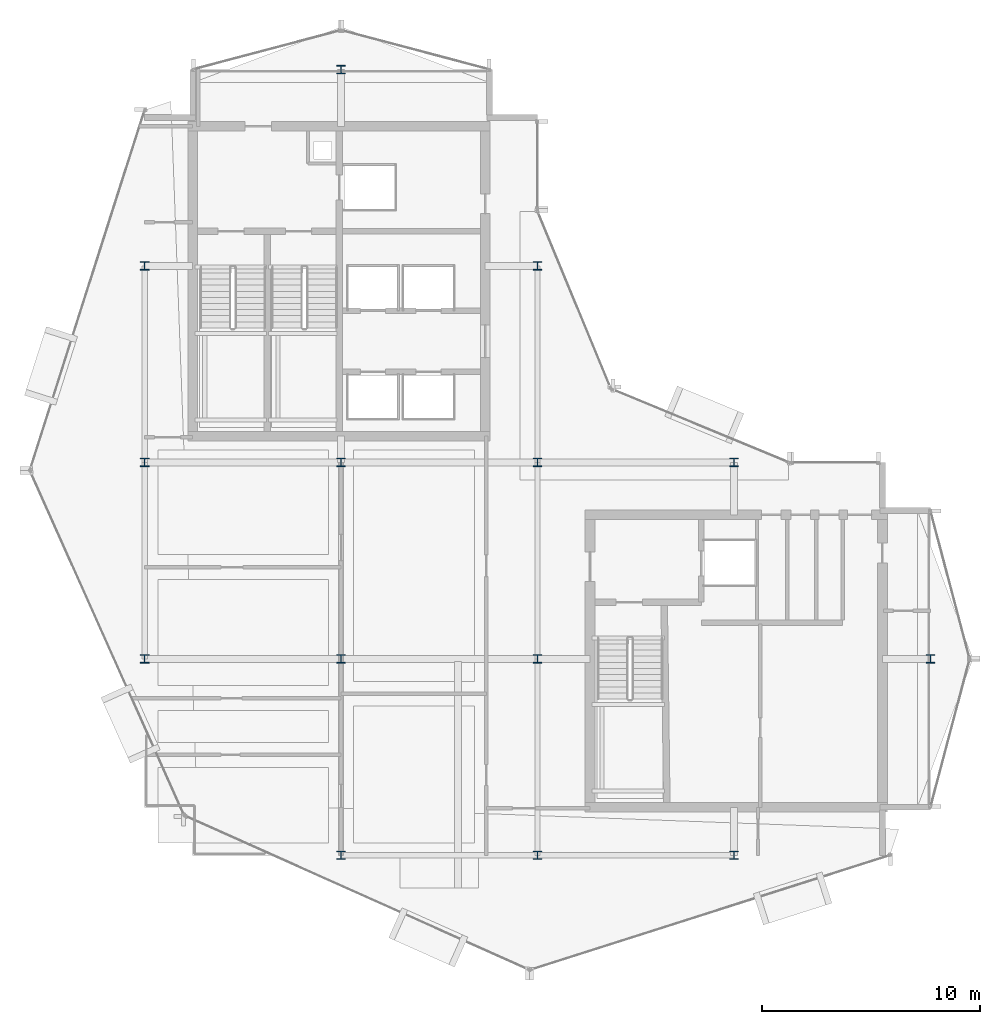
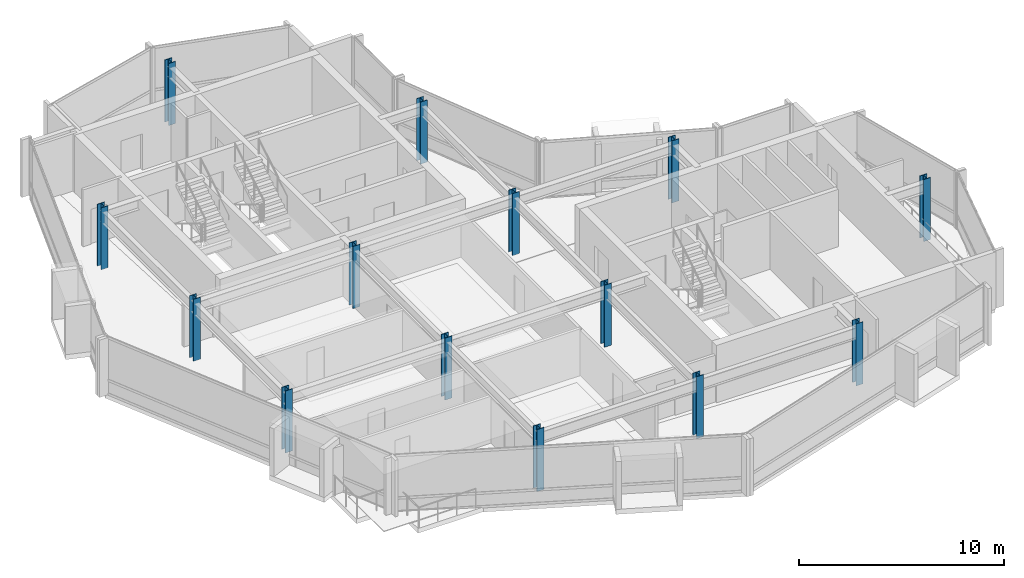
# One storey, part 1 of 19: 14 columns.
"""IFC4 building model written with IfcOpenShell, lengths in metres."""

from ifc_helpers import new_model, si_unit, direction, frame, origin, origin_2d, place, context, subcontext, project, spatial, i_section, extrude, material, material_profile, profile_set, type_object, element, save


model = new_model("IFC4")

# Units and contexts
model_context = context("Model", 3, precision=1e-05, world=origin(), true_north=direction((0.0, 1.0)))
body_context = subcontext(model_context, "Body", "Model", "MODEL_VIEW")
ifc_project = project(units=[si_unit("LENGTHUNIT", "METRE"), si_unit("AREAUNIT", "SQUARE_METRE"), si_unit("VOLUMEUNIT", "CUBIC_METRE"), si_unit("PLANEANGLEUNIT", "RADIAN"), si_unit("MASSUNIT", "GRAM", prefix="KILO")], contexts=[model_context])

# Site, building, storey
site_placement = place(None, origin())
site = spatial("IfcSite", under=ifc_project, at=site_placement, CompositionType="ELEMENT")
building_placement = place(site_placement, origin())
building = spatial("IfcBuilding", under=site, at=building_placement, Name="Solvaryn Broadcast Tower", CompositionType="ELEMENT")
storey_placement = place(building_placement, frame((0.0, 0.0, 240.800048828125)))
storey = spatial("IfcBuildingStorey", under=building, at=storey_placement, Name="L60", CompositionType="ELEMENT", Elevation=240.800048828125)

# Columns
ifc_material_1 = material(Name="Steel ASTM A913 Grade 65", Category="steel")
ifc_material_profile_1 = material_profile(ifc_material_1, i_section(OverallWidth=0.39697265625, OverallDepth=0.386962890625, WebThickness=0.02099609375, FlangeThickness=0.033203125, FilletRadius=0.014892578125, at=origin_2d()))
ifc_profile_set_1 = profile_set([ifc_material_profile_1], Name="Steel ASTM A913 Grade 65")
column_type_1 = type_object("IfcColumnType", Name="COL-C09E-W14X176", PredefinedType="COLUMN", material=ifc_profile_set_1)
for number, where, z_axis, x_axis, name in (
    (1, (9.0, 18.0, 0.0), (0.0, 0.0, 1.0), (1.0, 0.0, 0.0), "L60 Column (9.0, 18.0)"),
    (2, (9.0, 27.0, 0.0), (0.0, 0.0, 1.0), (1.0, 0.0, 0.0), "L60 Column (9.0, 27.0)"),
    (3, (9.0, 36.0, 0.0), (0.0, 0.0, 1.0), (1.0, 0.0, 0.0), "L60 Column (9.0, 36.0)"),
    (4, (18.0, 9.0, 0.0), (0.0, 0.0, 1.0), (1.0, 0.0, 0.0), "L60 Column (18.0, 9.0)"),
    (5, (18.0, 45.0, 0.0), (0.0, 0.0, 1.0), (1.0, 0.0, 0.0), "L60 Column (18.0, 45.0)"),
    (6, (27.0, 9.0, 0.0), (0.0, 0.0, 1.0), (1.0, 0.0, 0.0), "L60 Column (27.0, 9.0)"),
    (7, (27.0, 36.0, 0.0), (0.0, 0.0, 1.0), (1.0, 0.0, 0.0), "L60 Column (27.0, 36.0)"),
    (8, (36.0, 9.0, 0.0), (0.0, 0.0, 1.0), (1.0, 0.0, 0.0), "L60 Column (36.0, 9.0)"),
    (9, (36.0, 27.0, 0.0), (0.0, 0.0, 1.0), (1.0, 0.0, 0.0), "L60 Column (36.0, 27.0)"),
    (10, (45.0, 18.0, 0.0), (0.0, 0.0, 1.0), (1.0, 0.0, 0.0), "L60 Column (45.0, 18.0)"),
):
    element("IfcColumn", number, at=place(storey_placement, frame(where, z_axis=z_axis, x_axis=x_axis)), inside=storey, type_object=column_type_1, Name=name, PredefinedType="COLUMN", context=body_context, shape_type="SweptSolid", body=[
        extrude(i_section(OverallWidth=0.39697265625, OverallDepth=0.386962890625, WebThickness=0.02099609375, FlangeThickness=0.033203125, FilletRadius=0.014892578125, at=origin_2d()), origin(), (0.0, 0.0, 1.0), 3.699951171875),
    ])
ifc_material_2 = material(Name="Steel ASTM A913 Grade 65", Category="steel")
ifc_material_profile_2 = material_profile(ifc_material_2, i_section(OverallWidth=0.39697265625, OverallDepth=0.386962890625, WebThickness=0.02099609375, FlangeThickness=0.033203125, FilletRadius=0.014892578125, at=origin_2d()))
ifc_profile_set_2 = profile_set([ifc_material_profile_2], Name="Steel ASTM A913 Grade 65")
column_type_2 = type_object("IfcColumnType", Name="COL-C09I-W14X176", PredefinedType="COLUMN", material=ifc_profile_set_2)
for number, where, z_axis, x_axis, name in (
    (11, (18.0, 18.0, 0.0), (0.0, 0.0, 1.0), (1.0, 0.0, 0.0), "L60 Column (18.0, 18.0)"),
    (12, (18.0, 27.0, 0.0), (0.0, 0.0, 1.0), (1.0, 0.0, 0.0), "L60 Column (18.0, 27.0)"),
    (13, (27.0, 18.0, 0.0), (0.0, 0.0, 1.0), (1.0, 0.0, 0.0), "L60 Column (27.0, 18.0)"),
    (14, (27.0, 27.0, 0.0), (0.0, 0.0, 1.0), (1.0, 0.0, 0.0), "L60 Column (27.0, 27.0)"),
):
    element("IfcColumn", number, at=place(storey_placement, frame(where, z_axis=z_axis, x_axis=x_axis)), inside=storey, type_object=column_type_2, Name=name, PredefinedType="COLUMN", context=body_context, shape_type="SweptSolid", body=[
        extrude(i_section(OverallWidth=0.39697265625, OverallDepth=0.386962890625, WebThickness=0.02099609375, FlangeThickness=0.033203125, FilletRadius=0.014892578125, at=origin_2d()), origin(), (0.0, 0.0, 1.0), 3.699951171875),
    ])

save(model, "model.ifc")
